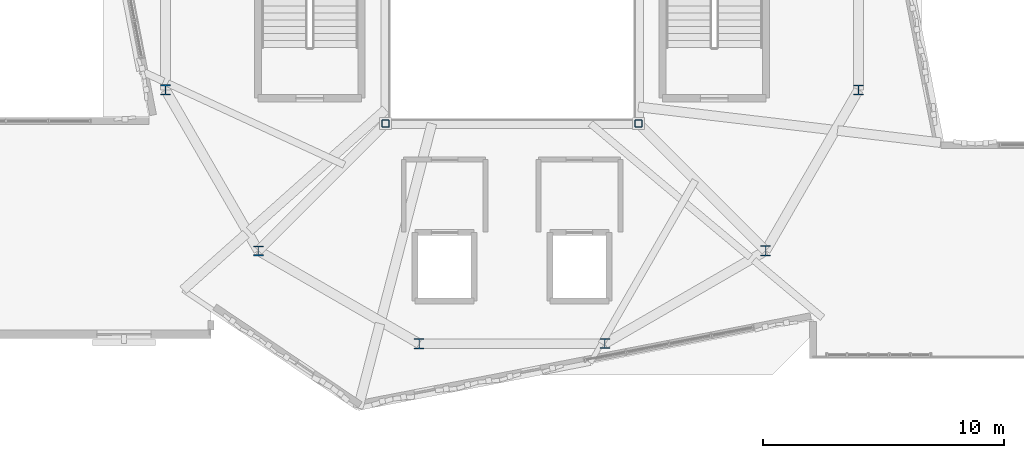
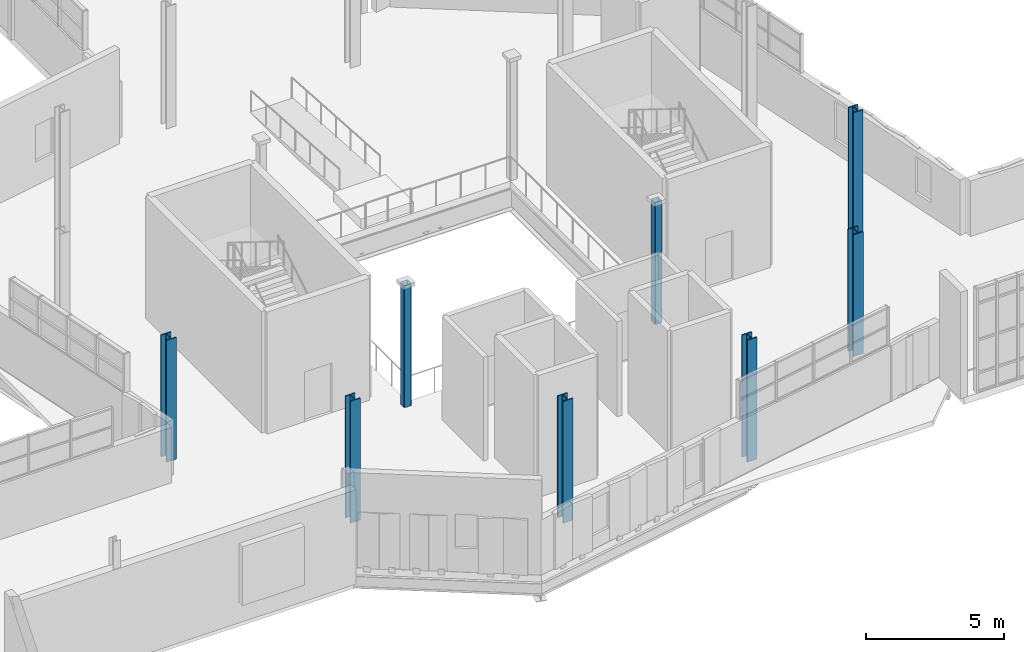
# One storey, part 5 of 142: 8 columns.
"""IFC4 building model written with IfcOpenShell, lengths in metres."""

from ifc_helpers import new_model, si_unit, direction, frame, origin, origin_2d, place, context, subcontext, project, spatial, hollow_rectangle, i_section, extrude, material, material_profile, profile_set, type_object, element, save


model = new_model("IFC4")

# Units and contexts
model_context = context("Model", 3, precision=1e-05, world=origin(), true_north=direction((0.0, 1.0)))
body_context = subcontext(model_context, "Body", "Model", "MODEL_VIEW")
ifc_project = project(units=[si_unit("LENGTHUNIT", "METRE"), si_unit("AREAUNIT", "SQUARE_METRE"), si_unit("VOLUMEUNIT", "CUBIC_METRE"), si_unit("PLANEANGLEUNIT", "RADIAN"), si_unit("MASSUNIT", "GRAM", prefix="KILO"), si_unit("THERMODYNAMICTEMPERATUREUNIT", "KELVIN"), si_unit("POWERUNIT", "WATT")], contexts=[model_context])

# Site, building, storey
site_placement = place(None, origin())
site = spatial("IfcSite", under=ifc_project, at=site_placement, CompositionType="ELEMENT")
building_placement = place(site_placement, origin())
building = spatial("IfcBuilding", under=site, at=building_placement, Name="Zelmaris Science Centre", CompositionType="ELEMENT")
storey_placement = place(building_placement, frame((0.0, 0.0, 5.39990234375)))
storey = spatial("IfcBuildingStorey", under=building, at=storey_placement, Name="L01", CompositionType="ELEMENT", Elevation=5.39990234375)

# Columns
ifc_material_1 = material(Name="Steel ASTM A992 Grade 50", Category="steel")
ifc_material_profile_1 = material_profile(ifc_material_1, i_section(OverallWidth=0.412109375, OverallDepth=0.43408203125, WebThickness=0.035888671875, FlangeThickness=0.044189453125, FilletRadius=0.014892578125, at=origin_2d()), Name="W14X311")
ifc_profile_set_1 = profile_set([ifc_material_profile_1], Name="Steel ASTM A992 Grade 50")
column_type_1 = type_object("IfcColumnType", Name="Column C-01 W14X311", PredefinedType="COLUMN", material=ifc_profile_set_1)
for number, where, z_axis, x_axis, name in (
    (1, (66.607666015625, 32.1435546875, 0.0), (0.0, 0.0, 1.0), (1.0, 0.0, 0.0), "Column V2-MC07 L01"),
    (2, (77.1435546875, 21.607666015625, 0.0), (0.0, 0.0, 1.0), (1.0, 0.0, 0.0), "Column V2-MC09 L01"),
    (3, (91.535888671875, 25.464111328125, 0.0), (0.0, 0.0, 1.0), (1.0, 0.0, 0.0), "Column V2-MC11 L01"),
):
    element("IfcColumn", number, at=place(storey_placement, frame(where, z_axis=z_axis, x_axis=x_axis)), inside=storey, type_object=column_type_1, Name=name, PredefinedType="COLUMN", context=body_context, shape_type="SweptSolid", body=[
        extrude(i_section(OverallWidth=0.412109375, OverallDepth=0.43408203125, WebThickness=0.035888671875, FlangeThickness=0.044189453125, FilletRadius=0.014892578125, at=origin_2d()), origin(), (0.0, 0.0, 1.0), 5.400146484375),
    ])
ifc_material_profile_2 = material_profile(ifc_material_1, i_section(OverallWidth=0.406005859375, OverallDepth=0.4169921875, WebThickness=0.02978515625, FlangeThickness=0.04443359375, FilletRadius=0.014892578125, at=origin_2d()), Name="W14X257")
ifc_profile_set_2 = profile_set([ifc_material_profile_2], Name="Steel ASTM A992 Grade 50")
column_type_2 = type_object("IfcColumnType", Name="Column C-02 W14X257", PredefinedType="COLUMN", material=ifc_profile_set_2)
for number, where, z_axis, x_axis, name in (
    (4, (70.464111328125, 25.464111328125, 0.0), (0.0, 0.0, 1.0), (1.0, 0.0, 0.0), "Column V2-MC08 L01"),
    (5, (84.8564453125, 21.607666015625, 0.0), (0.0, 0.0, 1.0), (1.0, 0.0, 0.0), "Column V2-MC10 L01"),
    (6, (95.392333984375, 32.1435546875, 0.0), (0.0, 0.0, 1.0), (1.0, 0.0, 0.0), "Column V2-MC12 L01"),
):
    element("IfcColumn", number, at=place(storey_placement, frame(where, z_axis=z_axis, x_axis=x_axis)), inside=storey, type_object=column_type_2, Name=name, PredefinedType="COLUMN", context=body_context, shape_type="SweptSolid", body=[
        extrude(i_section(OverallWidth=0.406005859375, OverallDepth=0.4169921875, WebThickness=0.02978515625, FlangeThickness=0.04443359375, FilletRadius=0.014892578125, at=origin_2d()), origin(), (0.0, 0.0, 1.0), 5.400146484375),
    ])
ifc_material_2 = material(Name="Steel ASTM A500 Grade C", Category="steel")
ifc_material_profile_3 = material_profile(ifc_material_2, hollow_rectangle(XDim=0.3046875, YDim=0.3046875, WallThickness=0.0146484375, InnerFilletRadius=0.0146484375, OuterFilletRadius=0.029296875, at=origin_2d()), Name="HSS305X305X16")
ifc_profile_set_3 = profile_set([ifc_material_profile_3], Name="Steel ASTM A500 Grade C")
column_type_3 = type_object("IfcColumnType", Name="Column C-10 HSS305X305X16", PredefinedType="COLUMN", material=ifc_profile_set_3)
for number, where, z_axis, x_axis, name in (
    (7, (75.75, 30.75, 0.0), (0.0, 0.0, 1.0), (1.0, 0.0, 0.0), "Column V2-AC01 L01"),
    (8, (86.25, 30.75, 0.0), (0.0, 0.0, 1.0), (1.0, 0.0, 0.0), "Column V2-AC02 L01"),
):
    element("IfcColumn", number, at=place(storey_placement, frame(where, z_axis=z_axis, x_axis=x_axis)), inside=storey, type_object=column_type_3, Name=name, PredefinedType="COLUMN", context=body_context, shape_type="SweptSolid", body=[
        extrude(hollow_rectangle(XDim=0.3046875, YDim=0.3046875, WallThickness=0.0146484375, InnerFilletRadius=0.0146484375, OuterFilletRadius=0.029296875, at=origin_2d()), origin(), (0.0, 0.0, 1.0), 5.400146484375),
    ])

save(model, "model.ifc")
